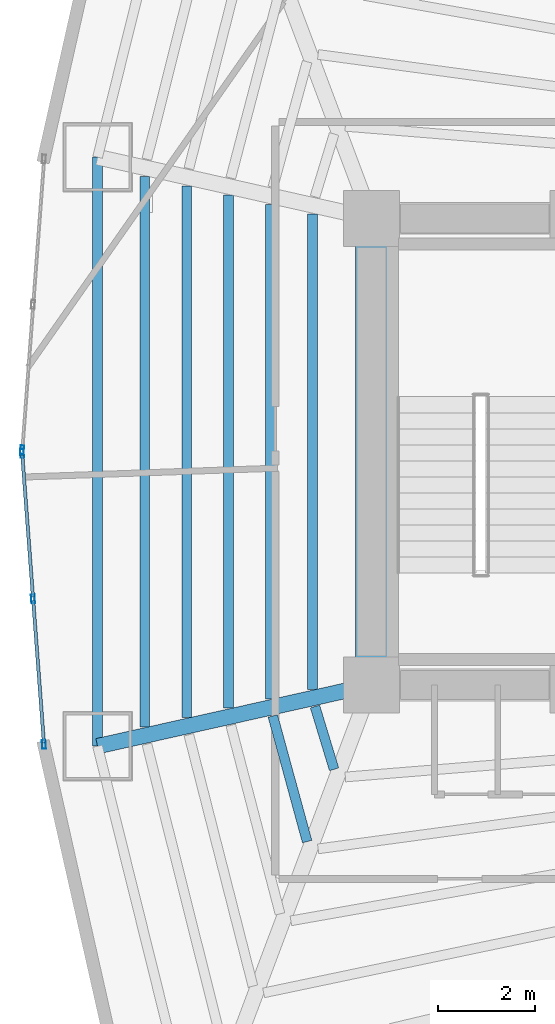
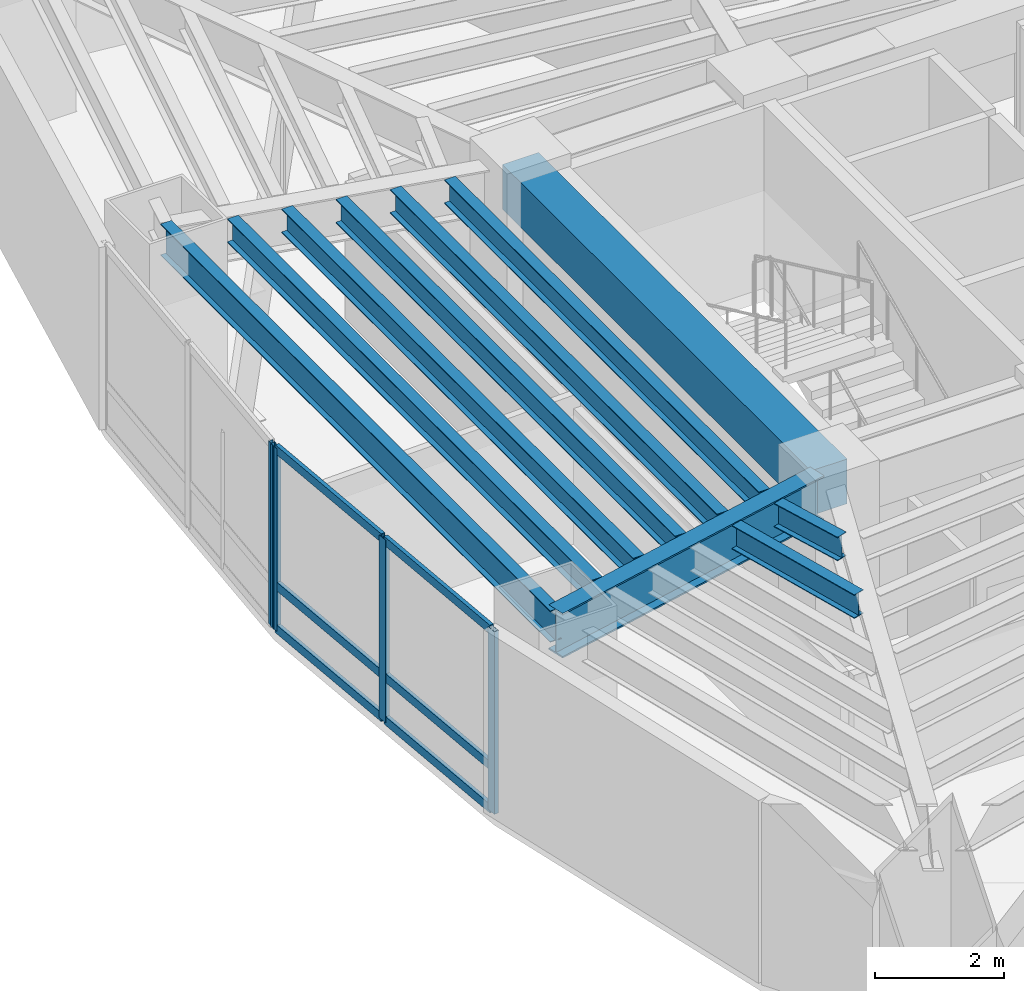
# One storey, part 3 of 20: 10 beams, 10 members, 2 elements without a shape of their own.
"""IFC4 building model written with IfcOpenShell, lengths in metres."""

from ifc_helpers import new_model, si_unit, direction, frame, origin, origin_2d, place, context, subcontext, project, spatial, rectangle, hollow_rectangle, i_section, extrude, material, layer, layer_set, material_profile, profile_set, type_object, element, aggregate, save


model = new_model("IFC4")

# Units and contexts
model_context = context("Model", 3, precision=1e-05, world=origin(), true_north=direction((0.0, 1.0)))
body_context = subcontext(model_context, "Body", "Model", "MODEL_VIEW")
ifc_project = project(units=[si_unit("LENGTHUNIT", "METRE"), si_unit("AREAUNIT", "SQUARE_METRE"), si_unit("VOLUMEUNIT", "CUBIC_METRE"), si_unit("PLANEANGLEUNIT", "RADIAN"), si_unit("MASSUNIT", "GRAM", prefix="KILO")], contexts=[model_context])

# Site, building, storey
site_placement = place(None, origin())
site = spatial("IfcSite", under=ifc_project, at=site_placement, CompositionType="ELEMENT")
building_placement = place(site_placement, origin())
building = spatial("IfcBuilding", under=site, at=building_placement, Name="Menara Vayukalpa", CompositionType="ELEMENT")
storey_placement = place(building_placement, frame((0.0, 0.0, 61.080078125)))
storey = spatial("IfcBuildingStorey", under=building, at=storey_placement, Name="L14", CompositionType="ELEMENT", Elevation=61.080078125)

# Beams
ifc_material_1 = material(Name="Concrete C60/75", Category="concrete")
ifc_material_profile_1 = material_profile(ifc_material_1, rectangle(XDim=0.64990234375, YDim=0.85009765625, at=origin_2d()), Name="RC 650x850")
ifc_profile_set_1 = profile_set([ifc_material_profile_1], Name="Concrete C60/75")
beam_type_1 = type_object("IfcBeamType", Name="BM-CB1", PredefinedType="BEAM", material=ifc_profile_set_1)
beam_1_placement = place(storey_placement, frame((17.800048828125, 17.199951171875, 3.044921875), z_axis=(0.0, 1.0, 0.0), x_axis=(-1.0, 0.0, 0.0)))
element("IfcBeam", 1, at=beam_1_placement, inside=storey, type_object=beam_type_1, Name="L14 Core Tie Beam CBR7", PredefinedType="BEAM", context=body_context, shape_type="SweptSolid", body=[
    extrude(rectangle(XDim=0.64990234375, YDim=0.85009765625, at=origin_2d()), origin(), (0.0, 0.0, 1.0), 9.60009765625),
])
ifc_material_2 = material(Name="Steel S355", Category="steel")
ifc_material_profile_2 = material_profile(ifc_material_2, i_section(OverallWidth=0.320068359375, OverallDepth=0.85009765625, WebThickness=0.01611328125, FlangeThickness=0.030029296875, at=origin_2d()), Name="WF 850x320x16x30")
ifc_profile_set_2 = profile_set([ifc_material_profile_2], Name="Steel S355")
beam_type_2 = type_object("IfcBeamType", Name="BM-PG2", PredefinedType="BEAM", material=ifc_profile_set_2)
beam_2_placement = place(storey_placement, frame((17.555908203125, 17.1455078125, 3.044921875), z_axis=(-0.975920137818, -0.218128138031, 0.0), x_axis=(0.218128138031, -0.975920137818, 0.0)))
element("IfcBeam", 2, at=beam_2_placement, inside=storey, type_object=beam_type_2, Name="L14 Primary Radial Girder RG06", PredefinedType="BEAM", context=body_context, shape_type="SweptSolid", body=[
    extrude(i_section(OverallWidth=0.320068359375, OverallDepth=0.85009765625, WebThickness=0.01611328125, FlangeThickness=0.030029296875, at=origin_2d()), origin(), (0.0, 0.0, 1.0), 5.524658203125),
])
ifc_material_3 = material(Name="Steel S355", Category="steel")
ifc_material_profile_3 = material_profile(ifc_material_3, i_section(OverallWidth=0.199951171875, OverallDepth=0.449951171875, WebThickness=0.009033203125, FlangeThickness=0.013916015625, at=origin_2d()), Name="WF 450x200x9x14")
ifc_profile_set_3 = profile_set([ifc_material_profile_3], Name="Steel S355")
beam_type_3 = type_object("IfcBeamType", Name="BM-SJ1", PredefinedType="JOIST", material=ifc_profile_set_3)
beam_3_placement = place(storey_placement, frame((16.58544921875, 26.891357421875, 3.244873046875), z_axis=(0.0, -1.0, 0.0), x_axis=(1.0, 0.0, 0.0)))
element("IfcBeam", 3, at=beam_3_placement, inside=storey, type_object=beam_type_3, Name="L14 Secondary Floor Joist SJ05-1", PredefinedType="JOIST", context=body_context, shape_type="SweptSolid", body=[
    extrude(i_section(OverallWidth=0.199951171875, OverallDepth=0.449951171875, WebThickness=0.009033203125, FlangeThickness=0.013916015625, at=origin_2d()), origin(), (0.0, 0.0, 1.0), 9.78271484375),
])
beam_4_placement = place(storey_placement, frame((15.722900390625, 27.084228515625, 3.244873046875), z_axis=(0.0, -1.0, 0.0), x_axis=(1.0, 0.0, 0.0)))
element("IfcBeam", 4, at=beam_4_placement, inside=storey, type_object=beam_type_3, Name="L14 Secondary Floor Joist SJ05-2", PredefinedType="JOIST", context=body_context, shape_type="SweptSolid", body=[
    extrude(i_section(OverallWidth=0.199951171875, OverallDepth=0.449951171875, WebThickness=0.009033203125, FlangeThickness=0.013916015625, at=origin_2d()), origin(), (0.0, 0.0, 1.0), 10.16845703125),
])
beam_5_placement = place(storey_placement, frame((14.860107421875, 27.277099609375, 3.244873046875), z_axis=(0.0, -1.0, 0.0), x_axis=(1.0, 0.0, 0.0)))
element("IfcBeam", 5, at=beam_5_placement, inside=storey, type_object=beam_type_3, Name="L14 Secondary Floor Joist SJ05-3", PredefinedType="JOIST", context=body_context, shape_type="SweptSolid", body=[
    extrude(i_section(OverallWidth=0.199951171875, OverallDepth=0.449951171875, WebThickness=0.009033203125, FlangeThickness=0.013916015625, at=origin_2d()), origin(), (0.0, 0.0, 1.0), 10.55419921875),
])
beam_6_placement = place(storey_placement, frame((13.997314453125, 27.469970703125, 3.244873046875), z_axis=(0.0, -1.0, 0.0), x_axis=(1.0, 0.0, 0.0)))
element("IfcBeam", 6, at=beam_6_placement, inside=storey, type_object=beam_type_3, Name="L14 Secondary Floor Joist SJ05-4", PredefinedType="JOIST", context=body_context, shape_type="SweptSolid", body=[
    extrude(i_section(OverallWidth=0.199951171875, OverallDepth=0.449951171875, WebThickness=0.009033203125, FlangeThickness=0.013916015625, at=origin_2d()), origin(), (0.0, 0.0, 1.0), 10.93994140625),
])
beam_7_placement = place(storey_placement, frame((13.134765625, 27.66259765625, 3.244873046875), z_axis=(0.0, -1.0, 0.0), x_axis=(1.0, 0.0, 0.0)))
element("IfcBeam", 7, at=beam_7_placement, inside=storey, type_object=beam_type_3, Name="L14 Secondary Floor Joist SJ05-5", PredefinedType="JOIST", context=body_context, shape_type="SweptSolid", body=[
    extrude(i_section(OverallWidth=0.199951171875, OverallDepth=0.449951171875, WebThickness=0.009033203125, FlangeThickness=0.013916015625, at=origin_2d()), origin(), (0.0, 0.0, 1.0), 11.3251953125),
])
beam_8_placement = place(storey_placement, frame((16.6376953125, 16.75634765625, 3.244873046875), z_axis=(0.291010568606, -0.956719838281, 0.0), x_axis=(0.956719838281, 0.291010568606, 0.0)))
element("IfcBeam", 8, at=beam_8_placement, inside=storey, type_object=beam_type_3, Name="L14 Secondary Floor Joist SJ06-1", PredefinedType="JOIST", context=body_context, shape_type="SweptSolid", body=[
    extrude(i_section(OverallWidth=0.199951171875, OverallDepth=0.449951171875, WebThickness=0.009033203125, FlangeThickness=0.013916015625, at=origin_2d()), origin(), (0.0, 0.0, 1.0), 1.3505859375),
])
beam_9_placement = place(storey_placement, frame((15.770263671875, 16.56201171875, 3.244873046875), z_axis=(0.263618546233, -0.964627006714, 0.0), x_axis=(0.964627006714, 0.263618546233, 0.0)))
element("IfcBeam", 9, at=beam_9_placement, inside=storey, type_object=beam_type_3, Name="L14 Secondary Floor Joist SJ06-2", PredefinedType="JOIST", context=body_context, shape_type="SweptSolid", body=[
    extrude(i_section(OverallWidth=0.199951171875, OverallDepth=0.449951171875, WebThickness=0.009033203125, FlangeThickness=0.013916015625, at=origin_2d()), origin(), (0.0, 0.0, 1.0), 2.67919921875),
])
ifc_material_4 = material(Name="Steel S355", Category="steel")
ifc_material_profile_4 = material_profile(ifc_material_4, i_section(OverallWidth=0.199951171875, OverallDepth=0.60009765625, WebThickness=0.010986328125, FlangeThickness=0.01708984375, at=origin_2d()), Name="WF 600x200x11x17")
ifc_profile_set_4 = profile_set([ifc_material_profile_4], Name="Steel S355")
beam_type_4 = type_object("IfcBeamType", Name="BM-SP1", PredefinedType="SPANDREL", material=ifc_profile_set_4)
beam_10_placement = place(storey_placement, frame((12.164306640625, 28.0595703125, 3.169921875), z_axis=(0.0, -1.0, 0.0), x_axis=(1.0, 0.0, 0.0)))
element("IfcBeam", 10, at=beam_10_placement, inside=storey, type_object=beam_type_4, Name="L14 Perimeter Spandrel Beam SP05", PredefinedType="SPANDREL", context=body_context, shape_type="SweptSolid", body=[
    extrude(i_section(OverallWidth=0.199951171875, OverallDepth=0.60009765625, WebThickness=0.010986328125, FlangeThickness=0.01708984375, at=origin_2d()), origin(), (0.0, 0.0, 1.0), 12.119140625),
])

# Curtain wall, member
ifc_material_5 = material(Name="Anodised Terracotta Aluminium Alloy 6063-T6", Category="masonry")
ifc_layer = layer(ifc_material_5, 0.179931640625)
ifc_layer_set = layer_set([ifc_layer], Name="Anodised Terracotta Aluminium Alloy 6063-T6")
curtain_wall_type = type_object("IfcCurtainWallType", Name="CW-CW4", PredefinedType="USERDEFINED", material=ifc_layer_set)
curtain_wall_1_placement = place(storey_placement, origin())
curtain_wall_1 = element("IfcCurtainWall", 11, at=curtain_wall_1_placement, inside=storey, type_object=curtain_wall_type, Name="L14 Sky Bar Cantilever Glazed Curtain Wall CW4 10", ObjectType="UNITISED", PredefinedType="USERDEFINED")
ifc_material_6 = material(Name="Anodised Terracotta Aluminium Alloy 6063-T6", Category="masonry")
ifc_material_profile_5 = material_profile(ifc_material_6, hollow_rectangle(XDim=0.074951171875, YDim=0.179931640625, WallThickness=0.00390625, at=origin_2d()), Name="ALU 75x180x4")
ifc_profile_set_5 = profile_set([ifc_material_profile_5], Name="Anodised Terracotta Aluminium Alloy 6063-T6")
member_type_1 = type_object("IfcMemberType", Name="CWM-CW4", PredefinedType="MULLION", material=ifc_profile_set_5)
member_1_placement = place(storey_placement, frame((10.612548828125, 22.037353515625, 0.0), z_axis=(0.0, 0.0, 1.0), x_axis=(0.997198941676, -0.074794857576, 0.0)))
member_1 = element("IfcMember", 12, at=member_1_placement, type_object=member_type_1, Name="CW4 mullion 3", PredefinedType="MULLION", context=body_context, shape_type="SweptSolid", body=[
    extrude(hollow_rectangle(XDim=0.074951171875, YDim=0.179931640625, WallThickness=0.00390625, at=origin_2d()), origin(), (0.0, 0.0, 1.0), 3.469970703125),
])
aggregate(curtain_wall_1, [member_1])

# Curtain wall, members
curtain_wall_2_placement = place(storey_placement, origin())
curtain_wall_2 = element("IfcCurtainWall", 13, at=curtain_wall_2_placement, inside=storey, type_object=curtain_wall_type, Name="L14 Sky Bar Cantilever Glazed Curtain Wall CW4 11", ObjectType="UNITISED", PredefinedType="USERDEFINED")
member_2_placement = place(storey_placement, frame((10.612548828125, 21.962646484375, 0.0), z_axis=(0.0, 0.0, 1.0), x_axis=(0.997198941676, 0.074794857576, 0.0)))
member_2 = element("IfcMember", 14, at=member_2_placement, type_object=member_type_1, Name="CW4 mullion 1", PredefinedType="MULLION", context=body_context, shape_type="SweptSolid", body=[
    extrude(hollow_rectangle(XDim=0.074951171875, YDim=0.179931640625, WallThickness=0.00390625, at=origin_2d()), origin(), (0.0, 0.0, 1.0), 3.469970703125),
])
member_3_placement = place(storey_placement, frame((10.8369140625, 18.97021484375, 0.0), z_axis=(0.0, 0.0, 1.0), x_axis=(0.997198941676, 0.074794857576, 0.0)))
member_3 = element("IfcMember", 15, at=member_3_placement, type_object=member_type_1, Name="CW4 mullion 2", PredefinedType="MULLION", context=body_context, shape_type="SweptSolid", body=[
    extrude(hollow_rectangle(XDim=0.074951171875, YDim=0.179931640625, WallThickness=0.00390625, at=origin_2d()), origin(), (0.0, 0.0, 1.0), 3.469970703125),
])
member_4_placement = place(storey_placement, frame((11.061279296875, 15.977783203125, 0.0), z_axis=(0.0, 0.0, 1.0), x_axis=(0.997198941676, 0.074794857576, 0.0)))
member_4 = element("IfcMember", 16, at=member_4_placement, type_object=member_type_1, Name="CW4 mullion 3", PredefinedType="MULLION", context=body_context, shape_type="SweptSolid", body=[
    extrude(hollow_rectangle(XDim=0.074951171875, YDim=0.179931640625, WallThickness=0.00390625, at=origin_2d()), origin(), (0.0, 0.0, 1.0), 3.469970703125),
])
ifc_material_7 = material(Name="Anodised Terracotta Aluminium Alloy 6063-T6", Category="masonry")
ifc_material_profile_6 = material_profile(ifc_material_7, hollow_rectangle(XDim=0.070068359375, YDim=0.1650390625, WallThickness=0.00390625, at=origin_2d()), Name="ALU 70x165x4")
ifc_profile_set_6 = profile_set([ifc_material_profile_6], Name="Anodised Terracotta Aluminium Alloy 6063-T6")
member_type_2 = type_object("IfcMemberType", Name="CWT-CW4", PredefinedType="USERDEFINED", material=ifc_profile_set_6)
member_5_placement = place(storey_placement, frame((10.615234375, 21.92529296875, 0.034912109375), z_axis=(0.074845955291, -0.997195107778, 0.0), x_axis=(0.997195107778, 0.074845955291, 0.0)))
member_5 = element("IfcMember", 17, at=member_5_placement, type_object=member_type_2, Name="CW4 transom 1.1", ObjectType="TRANSOM", PredefinedType="USERDEFINED", context=body_context, shape_type="SweptSolid", body=[
    extrude(hollow_rectangle(XDim=0.070068359375, YDim=0.1650390625, WallThickness=0.00390625, at=origin_2d()), origin(), (0.0, 0.0, 1.0), 2.926025390625),
])
member_6_placement = place(storey_placement, frame((10.615234375, 21.92529296875, 0.849853515625), z_axis=(0.074845955291, -0.997195107778, 0.0), x_axis=(0.997195107778, 0.074845955291, 0.0)))
member_6 = element("IfcMember", 18, at=member_6_placement, type_object=member_type_2, Name="CW4 transom 1.2", ObjectType="TRANSOM", PredefinedType="USERDEFINED", context=body_context, shape_type="SweptSolid", body=[
    extrude(hollow_rectangle(XDim=0.070068359375, YDim=0.1650390625, WallThickness=0.00390625, at=origin_2d()), origin(), (0.0, 0.0, 1.0), 2.926025390625),
])
member_7_placement = place(storey_placement, frame((10.615234375, 21.92529296875, 3.434814453125), z_axis=(0.074845955291, -0.997195107778, 0.0), x_axis=(0.997195107778, 0.074845955291, 0.0)))
member_7 = element("IfcMember", 19, at=member_7_placement, type_object=member_type_2, Name="CW4 transom 1.3", ObjectType="TRANSOM", PredefinedType="USERDEFINED", context=body_context, shape_type="SweptSolid", body=[
    extrude(hollow_rectangle(XDim=0.070068359375, YDim=0.1650390625, WallThickness=0.00390625, at=origin_2d()), origin(), (0.0, 0.0, 1.0), 2.926025390625),
])
member_8_placement = place(storey_placement, frame((10.83984375, 18.932861328125, 0.034912109375), z_axis=(0.074762981632, -0.997201332017, 0.0), x_axis=(0.997201332017, 0.074762981632, 0.0)))
member_8 = element("IfcMember", 20, at=member_8_placement, type_object=member_type_2, Name="CW4 transom 2.1", ObjectType="TRANSOM", PredefinedType="USERDEFINED", context=body_context, shape_type="SweptSolid", body=[
    extrude(hollow_rectangle(XDim=0.070068359375, YDim=0.1650390625, WallThickness=0.00390625, at=origin_2d()), origin(), (0.0, 0.0, 1.0), 2.926025390625),
])
member_9_placement = place(storey_placement, frame((10.83984375, 18.932861328125, 0.849853515625), z_axis=(0.074762981632, -0.997201332017, 0.0), x_axis=(0.997201332017, 0.074762981632, 0.0)))
member_9 = element("IfcMember", 21, at=member_9_placement, type_object=member_type_2, Name="CW4 transom 2.2", ObjectType="TRANSOM", PredefinedType="USERDEFINED", context=body_context, shape_type="SweptSolid", body=[
    extrude(hollow_rectangle(XDim=0.070068359375, YDim=0.1650390625, WallThickness=0.00390625, at=origin_2d()), origin(), (0.0, 0.0, 1.0), 2.926025390625),
])
member_10_placement = place(storey_placement, frame((10.83984375, 18.932861328125, 3.434814453125), z_axis=(0.074762981632, -0.997201332017, 0.0), x_axis=(0.997201332017, 0.074762981632, 0.0)))
member_10 = element("IfcMember", 22, at=member_10_placement, type_object=member_type_2, Name="CW4 transom 2.3", ObjectType="TRANSOM", PredefinedType="USERDEFINED", context=body_context, shape_type="SweptSolid", body=[
    extrude(hollow_rectangle(XDim=0.070068359375, YDim=0.1650390625, WallThickness=0.00390625, at=origin_2d()), origin(), (0.0, 0.0, 1.0), 2.926025390625),
])
aggregate(curtain_wall_2, [member_2, member_3, member_4, member_5, member_6, member_7, member_8, member_9, member_10])

save(model, "model.ifc")
